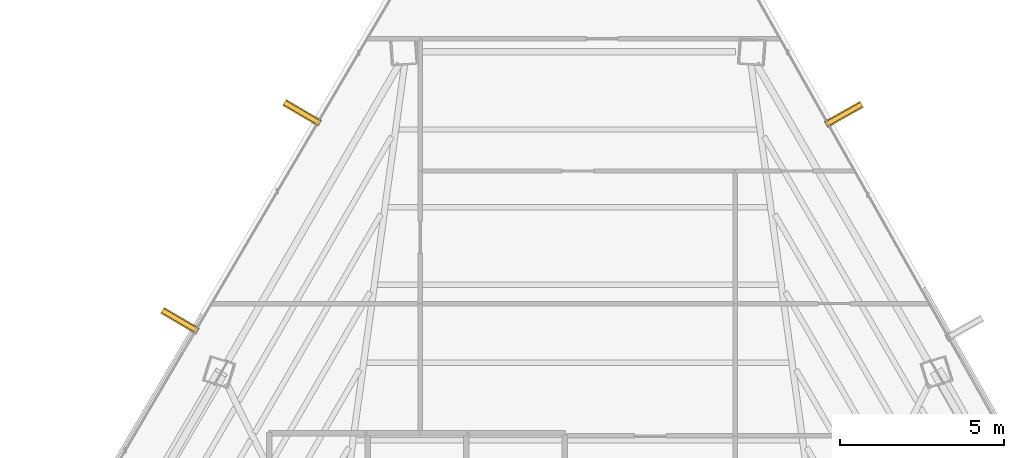
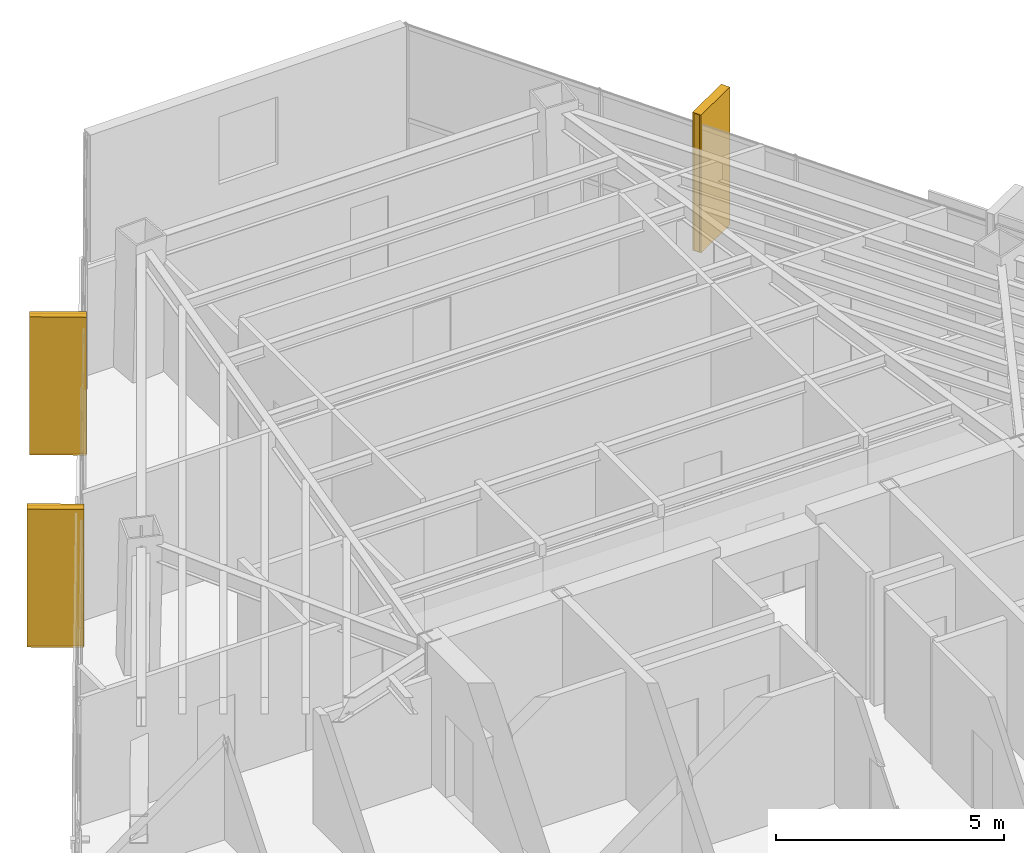
# One storey, part 42 of 42: 3 coverings, 3 shading devices.
"""IFC4 building model written with IfcOpenShell, lengths in metres."""

from ifc_helpers import new_model, si_unit, direction, frame, origin, origin_2d, place, context, subcontext, project, spatial, rectangle, extrude, source, transform, mapped, material, layer, layer_set, type_object, type_shapes, element, save


model = new_model("IFC4")

# Units and contexts
model_context = context("Model", 3, precision=1e-05, world=origin(), true_north=direction((0.0, 1.0)))
body_context = subcontext(model_context, "Body", "Model", "MODEL_VIEW")
ifc_project = project(units=[si_unit("LENGTHUNIT", "METRE"), si_unit("AREAUNIT", "SQUARE_METRE"), si_unit("VOLUMEUNIT", "CUBIC_METRE"), si_unit("PLANEANGLEUNIT", "RADIAN"), si_unit("MASSUNIT", "GRAM", prefix="KILO")], contexts=[model_context])

# Site, building, storey
site_placement = place(None, origin())
site = spatial("IfcSite", under=ifc_project, at=site_placement, CompositionType="ELEMENT")
building_placement = place(site_placement, origin())
building = spatial("IfcBuilding", under=site, at=building_placement, Name="Caelisora Broadcast Tower", CompositionType="ELEMENT")
storey_placement = place(building_placement, frame((0.0, 0.0, 195.0)))
storey = spatial("IfcBuildingStorey", under=building, at=storey_placement, Name="L51", CompositionType="ELEMENT", Elevation=195.0)

# Coverings
ifc_material_1 = material(Name="Kiln-Fired Terracotta Spandrel Rainscreen Cladding", Category="ceramic")
ifc_layer_1 = layer(ifc_material_1, 0.044921875, Name="Kiln-Fired Terracotta Spandrel Rainscreen Cladding")
ifc_layer_set_1 = layer_set([ifc_layer_1], Name="Kiln-Fired Terracotta Spandrel Rainscreen Cladding")
covering_type = type_object("IfcCoveringType", Name="CL-1", PredefinedType="CLADDING", material=ifc_layer_set_1)
shared_shape_1 = source(origin(), body_context, "Body", "SweptSolid", [
    extrude(rectangle(XDim=0.219970703125, YDim=1.25, at=origin_2d()), origin(), (0.0, 0.0, 1.0), 3.68994140625),
])
type_shapes(covering_type, [shared_shape_1])
for number, where, z_axis, x_axis, name in (
    (1, (46.103515625, 44.664794921875, -0.02001953125), (0.0, 0.0, 1.0), (0.491055801632, -0.871128118983, 0.0), "L51 vertical solar fin cladding #1-1"),
    (2, (25.880126953125, 38.37841796875, -0.02001953125), (0.0, 0.0, 1.0), (0.506334807353, 0.862336977557, 0.0), "L51 vertical solar fin cladding #3-3"),
    (3, (29.599609375, 44.71240234375, -0.02001953125), (0.0, 0.0, 1.0), (0.506334807353, 0.862336977557, 0.0), "L51 vertical solar fin cladding #3-4"),
):
    element("IfcCovering", number, at=place(storey_placement, frame(where, z_axis=z_axis, x_axis=x_axis)), inside=storey, type_object=covering_type, Name=name, PredefinedType="CLADDING", context=body_context, shape_type="MappedRepresentation", body=[
        mapped(shared_shape_1, transform((0.0, 0.0, 0.0), scale=1.0)),
    ])

# Shading devices
ifc_material_2 = material(Name="Extruded Terracotta Flaring Colonnade Fin", Category="ceramic")
ifc_layer_2 = layer(ifc_material_2, 0.139892578125, Name="Extruded Terracotta Flaring Colonnade Fin")
ifc_layer_set_2 = layer_set([ifc_layer_2], Name="Extruded Terracotta Flaring Colonnade Fin")
shading_device_type = type_object("IfcShadingDeviceType", Name="FN-1", PredefinedType="USERDEFINED", material=ifc_layer_set_2)
shared_shape_2 = source(origin(), body_context, "Body", "SweptSolid", [
    extrude(rectangle(XDim=0.139892578125, YDim=1.25, at=origin_2d()), origin(), (0.0, 0.0, 1.0), 3.669921875),
])
type_shapes(shading_device_type, [shared_shape_2])
for number, where, z_axis, x_axis, name in (
    (4, (46.103515625, 44.664794921875, -0.010009765625), (0.0, 0.0, 1.0), (0.491055801632, -0.871128118983, 0.0), "L51 vertical terracotta fin #1-1"),
    (5, (25.880126953125, 38.37841796875, -0.010009765625), (0.0, 0.0, 1.0), (0.506334807353, 0.862336977557, 0.0), "L51 vertical terracotta fin #3-3"),
    (6, (29.599609375, 44.71240234375, -0.010009765625), (0.0, 0.0, 1.0), (0.506334807353, 0.862336977557, 0.0), "L51 vertical terracotta fin #3-4"),
):
    element("IfcShadingDevice", number, at=place(storey_placement, frame(where, z_axis=z_axis, x_axis=x_axis)), inside=storey, type_object=shading_device_type, Name=name, ObjectType="FIN", PredefinedType="USERDEFINED", context=body_context, shape_type="MappedRepresentation", body=[
        mapped(shared_shape_2, transform((0.0, 0.0, 0.0), scale=1.0)),
    ])

save(model, "model.ifc")
